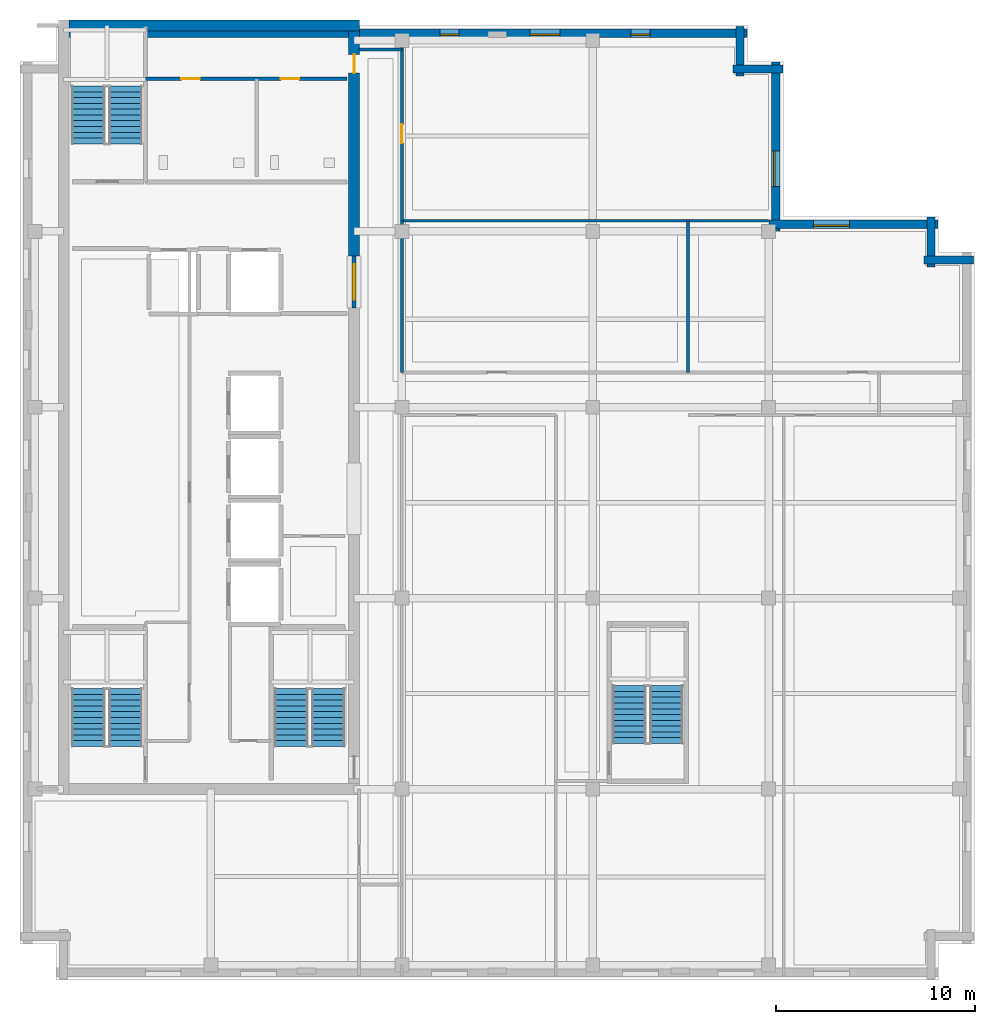
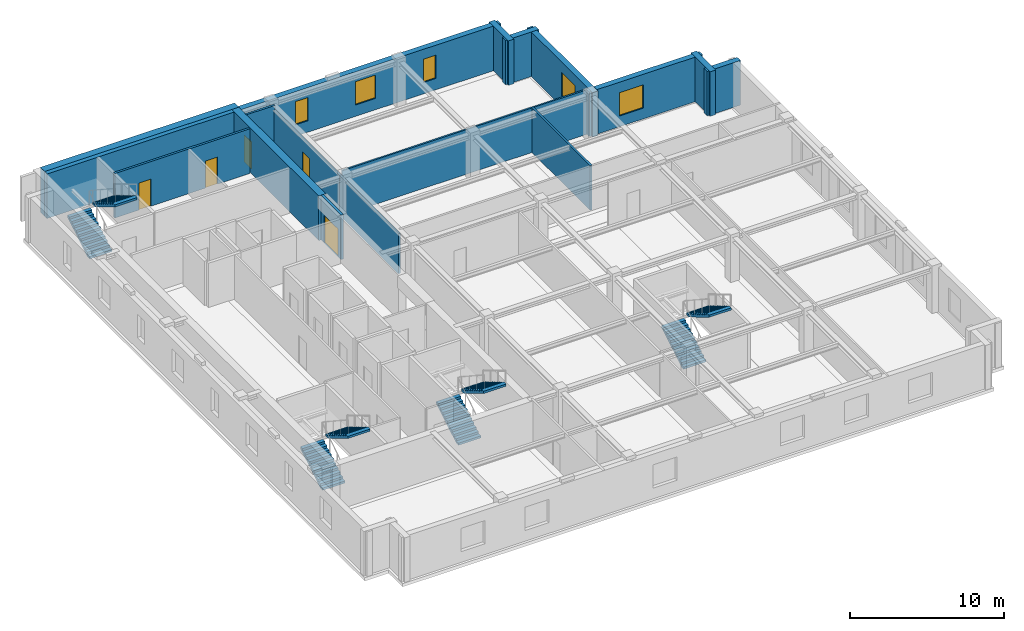
# One storey, part 5 of 10: 16 walls, 8 stair flights, 5 doors, 5 windows, 10 openings, 4 elements without a shape of their own.
"""IFC4 building model written with IfcOpenShell, lengths in metres."""

from ifc_helpers import new_model, si_unit, direction, frame, frame_2d, origin, place, context, subcontext, project, spatial, polyline, rectangle, outline, extrude, material, layer, layer_set, type_object, element, fill, aggregate, save


model = new_model("IFC4")

# Units and contexts
model_context = context("Model", 3, precision=1e-05, world=origin(), true_north=direction((0.0, 1.0)))
body_context = subcontext(model_context, "Body", "Model", "MODEL_VIEW")
ifc_project = project(units=[si_unit("LENGTHUNIT", "METRE"), si_unit("AREAUNIT", "SQUARE_METRE"), si_unit("VOLUMEUNIT", "CUBIC_METRE"), si_unit("PLANEANGLEUNIT", "RADIAN"), si_unit("MASSUNIT", "GRAM", prefix="KILO")], contexts=[model_context])

# Site, building, storey
site_placement = place(None, origin())
site = spatial("IfcSite", under=ifc_project, at=site_placement, CompositionType="ELEMENT")
building_placement = place(site_placement, origin())
building = spatial("IfcBuilding", under=site, at=building_placement, Name="Norrvale University Quadrangle", CompositionType="ELEMENT")
storey_placement = place(building_placement, frame((0.0, 0.0, 296.199951171875)))
storey = spatial("IfcBuildingStorey", under=building, at=storey_placement, Name="L75", CompositionType="ELEMENT", Elevation=296.199951171875)

# Walls
ifc_material_1 = material(Name="Buff Norman Clay Brick Masonry", Category="masonry")
ifc_layer_1 = layer(ifc_material_1, 0.419921875, Name="Buff Norman Clay Brick Masonry")
ifc_layer_set_1 = layer_set([ifc_layer_1], Name="Buff Norman Clay Brick Masonry")
wall_type_1 = type_object("IfcWallType", Name="Wall Buff Brick 420", PredefinedType="SOLIDWALL", material=ifc_layer_set_1)
for number, where, z_axis, x_axis, name in (
    (1, (47.9599609375, 36.2099609375, 0.0), (0.0, 0.0, 1.0), (-1.0, 0.0, 0.0), "Exterior Brick Facade Wall L75-05.1"),
    (2, (45.81005859375, 35.860107421875, 0.0), (0.0, 0.0, 1.0), (0.0, 1.0, 0.0), "Exterior Brick Facade Wall L75-06.1"),
):
    element("IfcWall", number, at=place(storey_placement, frame(where, z_axis=z_axis, x_axis=x_axis)), inside=storey, type_object=wall_type_1, Name=name, PredefinedType="SOLIDWALL", context=body_context, shape_type="SweptSolid", body=[
        extrude(rectangle(XDim=2.5, YDim=0.419921875, at=frame_2d((1.25, 0.0))), origin(), (0.0, 0.0, 1.0), 3.5400390625),
    ])

# Wall, opening, window
wall_1_placement = place(storey_placement, frame((46.159912109375, 38.010009765625, 0.0), z_axis=(0.0, 0.0, 1.0), x_axis=(-1.0, 0.0, 0.0)))
wall_1 = element("IfcWall", 3, at=wall_1_placement, inside=storey, type_object=wall_type_1, Name="Exterior Brick Facade Wall L75-07.1", PredefinedType="SOLIDWALL", context=body_context, shape_type="SweptSolid", body=[
    extrude(rectangle(XDim=8.5, YDim=0.419921875, at=frame_2d((4.25, 0.0))), origin(), (0.0, 0.0, 1.0), 3.5400390625),
])
opening_1_placement = place(wall_1_placement, frame((4.4599609375, 0.0, 0.85009765625)))
opening_1 = element("IfcOpeningElement", 4, at=opening_1_placement, cuts=wall_1, Name="Opening W01", PredefinedType="OPENING", context=body_context, shape_type="SweptSolid", body=[
    extrude(rectangle(XDim=1.800048828125, YDim=1.85009765625, at=frame_2d((0.89990234375, 0.925048828125))), frame((0.0, 0.221923828125, 0.0), z_axis=(0.0, -1.0, 0.0), x_axis=(1.0, 0.0, 0.0)), (0.0, 0.0, 1.0), 0.44384765625),
])
ifc_material_2 = material(Name="Triple Low-E Argon Glazing", Category="glass")
window_type_1 = type_object("IfcWindowType", Name="Window Academic 1800x2300", PartitioningType="DOUBLE_PANEL_VERTICAL", PredefinedType="WINDOW", material=ifc_material_2)
window_1_placement = place(opening_1_placement, origin())
window_1 = element("IfcWindow", 5, at=window_1_placement, inside=storey, type_object=window_type_1, Name="Window Academic 1800x2300 WIN-L75-E07-1-01", OverallHeight=1.85009765625, OverallWidth=1.800048828125, PartitioningType="DOUBLE_PANEL_VERTICAL", PredefinedType="WINDOW", context=body_context, shape_type="SweptSolid", body=[
    extrude(rectangle(XDim=1.800048828125, YDim=1.85009765625, at=frame_2d((0.89990234375, 0.925048828125))), frame((0.0, 0.110107421875, 0.0), z_axis=(0.0, -1.0, 0.0), x_axis=(1.0, 0.0, 0.0)), (0.0, 0.0, 1.0), 0.06005859375),
])
fill(opening_1, window_1)

wall_2_placement = place(storey_placement, frame((38.010009765625, 37.659912109375, 0.0), z_axis=(0.0, 0.0, 1.0), x_axis=(0.0, 1.0, 0.0)))
wall_2 = element("IfcWall", 6, at=wall_2_placement, inside=storey, type_object=wall_type_1, Name="Exterior Brick Facade Wall L75-08.1", PredefinedType="SOLIDWALL", context=body_context, shape_type="SweptSolid", body=[
    extrude(rectangle(XDim=8.5, YDim=0.419921875, at=frame_2d((4.25, 0.0))), origin(), (0.0, 0.0, 1.0), 3.5400390625),
])
opening_2_placement = place(wall_2_placement, frame((2.239990234375, 0.0, 0.85009765625)))
opening_2 = element("IfcOpeningElement", 7, at=opening_2_placement, cuts=wall_2, Name="Opening W01", PredefinedType="OPENING", context=body_context, shape_type="SweptSolid", body=[
    extrude(rectangle(XDim=1.800048828125, YDim=1.85009765625, at=frame_2d((0.89990234375, 0.925048828125))), frame((0.0, 0.221923828125, 0.0), z_axis=(0.0, -1.0, 0.0), x_axis=(1.0, 0.0, 0.0)), (0.0, 0.0, 1.0), 0.44384765625),
])
window_2_placement = place(opening_2_placement, origin())
window_2 = element("IfcWindow", 8, at=window_2_placement, inside=storey, type_object=window_type_1, Name="Window Academic 1800x2300 WIN-L75-E08-1-01", OverallHeight=1.85009765625, OverallWidth=1.800048828125, PartitioningType="DOUBLE_PANEL_VERTICAL", PredefinedType="WINDOW", context=body_context, shape_type="SweptSolid", body=[
    extrude(rectangle(XDim=1.800048828125, YDim=1.85009765625, at=frame_2d((0.89990234375, 0.925048828125))), frame((0.0, 0.110107421875, 0.0), z_axis=(0.0, -1.0, 0.0), x_axis=(1.0, 0.0, 0.0)), (0.0, 0.0, 1.0), 0.06005859375),
])
fill(opening_2, window_2)

# Walls
for number, where, z_axis, x_axis, name in (
    (9, (38.360107421875, 45.81005859375, 0.0), (0.0, 0.0, 1.0), (-1.0, 0.0, 0.0), "Exterior Brick Facade Wall L75-09.1"),
    (10, (36.2099609375, 45.4599609375, 0.0), (0.0, 0.0, 1.0), (0.0, 1.0, 0.0), "Exterior Brick Facade Wall L75-10.1"),
):
    element("IfcWall", number, at=place(storey_placement, frame(where, z_axis=z_axis, x_axis=x_axis)), inside=storey, type_object=wall_type_1, Name=name, PredefinedType="SOLIDWALL", context=body_context, shape_type="SweptSolid", body=[
        extrude(rectangle(XDim=2.5, YDim=0.419921875, at=frame_2d((1.25, 0.0))), origin(), (0.0, 0.0, 1.0), 3.5400390625),
    ])

# Wall, openings, windows
wall_3_placement = place(storey_placement, frame((36.56005859375, 47.610107421875, 0.0), z_axis=(0.0, 0.0, 1.0), x_axis=(-1.0, 0.0, 0.0)))
wall_3 = element("IfcWall", 11, at=wall_3_placement, inside=storey, type_object=wall_type_1, Name="Exterior Brick Facade Wall L75-11.1", PredefinedType="SOLIDWALL", context=body_context, shape_type="SweptSolid", body=[
    extrude(rectangle(XDim=34.0849609375, YDim=0.419921875, at=frame_2d((17.04248046875, 0.0))), origin(), (0.0, 0.0, 1.0), 3.5400390625),
])
opening_3_placement = place(wall_3_placement, frame((4.885009765625, 0.0, 0.89990234375)))
opening_3 = element("IfcOpeningElement", 12, at=opening_3_placement, cuts=wall_3, Name="Opening W04", PredefinedType="OPENING", context=body_context, shape_type="SweptSolid", body=[
    extrude(rectangle(XDim=0.949951171875, YDim=1.85009765625, at=frame_2d((0.47509765625, 0.925048828125))), frame((0.0, 0.221923828125, 0.0), z_axis=(0.0, -1.0, 0.0), x_axis=(1.0, 0.0, 0.0)), (0.0, 0.0, 1.0), 0.44384765625),
])
opening_4_placement = place(wall_3_placement, frame((9.409912109375, 0.0, 0.89990234375)))
opening_4 = element("IfcOpeningElement", 13, at=opening_4_placement, cuts=wall_3, Name="Opening W03", PredefinedType="OPENING", context=body_context, shape_type="SweptSolid", body=[
    extrude(rectangle(XDim=1.5, YDim=1.85009765625, at=frame_2d((0.75, 0.925048828125))), frame((0.0, 0.221923828125, 0.0), z_axis=(0.0, -1.0, 0.0), x_axis=(1.0, 0.0, 0.0)), (0.0, 0.0, 1.0), 0.44384765625),
])
opening_5_placement = place(wall_3_placement, frame((14.485107421875, 0.0, 0.89990234375)))
opening_5 = element("IfcOpeningElement", 14, at=opening_5_placement, cuts=wall_3, Name="Opening W04", PredefinedType="OPENING", context=body_context, shape_type="SweptSolid", body=[
    extrude(rectangle(XDim=0.949951171875, YDim=1.85009765625, at=frame_2d((0.47509765625, 0.925048828125))), frame((0.0, 0.221923828125, 0.0), z_axis=(0.0, -1.0, 0.0), x_axis=(1.0, 0.0, 0.0)), (0.0, 0.0, 1.0), 0.44384765625),
])
window_type_2 = type_object("IfcWindowType", Name="Window Narrow Pier 950x2300", PartitioningType="SINGLE_PANEL", PredefinedType="WINDOW", material=ifc_material_2)
window_3_placement = place(opening_3_placement, origin())
window_3 = element("IfcWindow", 15, at=window_3_placement, inside=storey, type_object=window_type_2, Name="Window Narrow Pier 950x2300 WIN-L75-E11-1-01", OverallHeight=1.85009765625, OverallWidth=0.949951171875, PartitioningType="SINGLE_PANEL", PredefinedType="WINDOW", context=body_context, shape_type="SweptSolid", body=[
    extrude(rectangle(XDim=0.949951171875, YDim=1.85009765625, at=frame_2d((0.47509765625, 0.925048828125))), frame((0.0, 0.110107421875, 0.0), z_axis=(0.0, -1.0, 0.0), x_axis=(1.0, 0.0, 0.0)), (0.0, 0.0, 1.0), 0.06005859375),
])
fill(opening_3, window_3)
window_4_placement = place(opening_5_placement, origin())
window_4 = element("IfcWindow", 16, at=window_4_placement, inside=storey, type_object=window_type_2, Name="Window Narrow Pier 950x2300 WIN-L75-E11-1-03", OverallHeight=1.85009765625, OverallWidth=0.949951171875, PartitioningType="SINGLE_PANEL", PredefinedType="WINDOW", context=body_context, shape_type="SweptSolid", body=[
    extrude(rectangle(XDim=0.949951171875, YDim=1.85009765625, at=frame_2d((0.47509765625, 0.925048828125))), frame((0.0, 0.110107421875, 0.0), z_axis=(0.0, -1.0, 0.0), x_axis=(1.0, 0.0, 0.0)), (0.0, 0.0, 1.0), 0.06005859375),
])
fill(opening_5, window_4)
window_type_3 = type_object("IfcWindowType", Name="Window Studio 1500x2300", PartitioningType="DOUBLE_PANEL_VERTICAL", PredefinedType="WINDOW", material=ifc_material_2)
window_5_placement = place(opening_4_placement, origin())
window_5 = element("IfcWindow", 17, at=window_5_placement, inside=storey, type_object=window_type_3, Name="Window Studio 1500x2300 WIN-L75-E11-1-02", OverallHeight=1.85009765625, OverallWidth=1.5, PartitioningType="DOUBLE_PANEL_VERTICAL", PredefinedType="WINDOW", context=body_context, shape_type="SweptSolid", body=[
    extrude(rectangle(XDim=1.5, YDim=1.85009765625, at=frame_2d((0.75, 0.925048828125))), frame((0.0, 0.110107421875, 0.0), z_axis=(0.0, -1.0, 0.0), x_axis=(1.0, 0.0, 0.0)), (0.0, 0.0, 1.0), 0.06005859375),
])
fill(opening_4, window_5)

# Wall
ifc_material_3 = material(Name="Concrete C60/75", Category="concrete")
ifc_layer_2 = layer(ifc_material_3, 0.550048828125, Name="Concrete C60/75")
ifc_layer_set_2 = layer_set([ifc_layer_2], Name="Concrete C60/75")
wall_type_2 = type_object("IfcWallType", Name="Wall Core 550", PredefinedType="SHEAR", material=ifc_layer_set_2)
wall_4_placement = place(storey_placement, frame((2.47509765625, 48.0, 0.0), z_axis=(0.0, 0.0, 1.0), x_axis=(1.0, 0.0, 0.0)))
element("IfcWall", 18, at=wall_4_placement, inside=storey, type_object=wall_type_2, Name="Tower Core Shear Wall L75-N", PredefinedType="SHEAR", context=body_context, shape_type="SweptSolid", body=[
    extrude(rectangle(XDim=14.599853515625, YDim=0.550048828125, at=frame_2d((7.2998046875, 0.0))), origin(), (0.0, 0.0, 1.0), 3.5400390625),
])

# Wall, opening, door
wall_5_placement = place(storey_placement, frame((16.800048828125, 36.39990234375, 0.0), z_axis=(0.0, 0.0, 1.0), x_axis=(0.0, 1.0, 0.0)))
wall_5 = element("IfcWall", 19, at=wall_5_placement, inside=storey, type_object=wall_type_2, Name="Tower Core Shear Wall L75-E3", PredefinedType="SHEAR", context=body_context, shape_type="SweptSolid", body=[
    extrude(rectangle(XDim=11.3251953125, YDim=0.550048828125, at=frame_2d((5.66259765625, 0.0))), origin(), (0.0, 0.0, 1.0), 3.5400390625),
])
opening_6_placement = place(wall_5_placement, frame((9.199951171875, 0.0, 0.0)))
opening_6 = element("IfcOpeningElement", 20, at=opening_6_placement, cuts=wall_5, Name="Opening D07", PredefinedType="OPENING", context=body_context, shape_type="SweptSolid", body=[
    extrude(rectangle(XDim=0.949951171875, YDim=2.14990234375, at=frame_2d((0.47509765625, 1.074951171875))), frame((0.0, 0.287109375, 0.0), z_axis=(0.0, -1.0, 0.0), x_axis=(1.0, 0.0, 0.0)), (0.0, 0.0, 1.0), 0.573974609375),
])
ifc_material_4 = material(Name="Solid-Core Maple Door", Category="wood")
door_type_1 = type_object("IfcDoorType", Name="Door Office 950x2150", OperationType="NOTDEFINED", PredefinedType="DOOR", material=ifc_material_4)
door_1_placement = place(opening_6_placement, origin())
door_1 = element("IfcDoor", 21, at=door_1_placement, inside=storey, type_object=door_type_1, Name="Door Office 950x2150 DR-L75-NECORR", OperationType="SINGLE_SWING_RIGHT", OverallHeight=2.14990234375, OverallWidth=0.949951171875, PredefinedType="DOOR", context=body_context, shape_type="SweptSolid", body=[
    extrude(rectangle(XDim=0.949951171875, YDim=2.14990234375, at=frame_2d((0.47509765625, 1.074951171875))), frame((0.0, 0.02490234375, 0.0), z_axis=(0.0, -1.0, 0.0), x_axis=(1.0, 0.0, 0.0)), (0.0, 0.0, 1.0), 0.050048828125),
])
fill(opening_6, door_1)

# Walls
ifc_material_5 = material(Name="Standard Academic Gypsum Partition")
ifc_layer_3 = layer(ifc_material_5, 0.125, Name="Standard Academic Gypsum Partition")
ifc_layer_set_3 = layer_set([ifc_layer_3], Name="Standard Academic Gypsum Partition")
wall_type_3 = type_object("IfcWallType", Name="Wall Gypsum Academic 125", PredefinedType="PARTITIONING", material=ifc_layer_set_3)
wall_6_placement = place(storey_placement, frame((19.280029296875, 38.179931640625, 0.0), z_axis=(0.0, 0.0, 1.0), x_axis=(1.0, 0.0, 0.0)))
element("IfcWall", 22, at=wall_6_placement, inside=storey, type_object=wall_type_3, Name="Interior Partition WL-L75-ME-N", PredefinedType="PARTITIONING", context=body_context, shape_type="SweptSolid", body=[
    extrude(rectangle(XDim=18.369873046875, YDim=0.125, at=frame_2d((9.18505859375, 0.0))), origin(), (0.0, 0.0, 1.0), 3.5400390625),
])
ifc_material_6 = material(Name="Fire-Rated Gypsum Stud Partition")
ifc_layer_4 = layer(ifc_material_6, 0.14990234375, Name="Fire-Rated Gypsum Stud Partition")
ifc_layer_set_4 = layer_set([ifc_layer_4], Name="Fire-Rated Gypsum Stud Partition")
wall_type_4 = type_object("IfcWallType", Name="Wall Gypsum Corridor 150", PredefinedType="PARTITIONING", material=ifc_layer_set_4)
wall_7_placement = place(storey_placement, frame((17.050048828125, 46.800048828125, 0.0), z_axis=(0.0, 0.0, 1.0), x_axis=(1.0, 0.0, 0.0)))
element("IfcWall", 23, at=wall_7_placement, inside=storey, type_object=wall_type_4, Name="Interior Partition WL-L75-CSP-N", PredefinedType="PARTITIONING", context=body_context, shape_type="SweptSolid", body=[
    extrude(rectangle(XDim=2.14990234375, YDim=0.14990234375, at=frame_2d((1.074951171875, 0.0))), origin(), (0.0, 0.0, 1.0), 3.5400390625),
])
wall_8_placement = place(storey_placement, frame((33.60009765625, 30.550048828125, 0.0), z_axis=(0.0, 0.0, 1.0), x_axis=(0.0, 1.0, 0.0)))
element("IfcWall", 24, at=wall_8_placement, inside=storey, type_object=wall_type_4, Name="Interior Partition WL-L75-MEP01", PredefinedType="PARTITIONING", context=body_context, shape_type="SweptSolid", body=[
    extrude(rectangle(XDim=7.6298828125, YDim=0.14990234375, at=frame_2d((3.81494140625, 0.0))), origin(), (0.0, 0.0, 1.0), 3.5400390625),
])
wall_9_placement = place(storey_placement, frame((19.199951171875, 30.550048828125, 0.0), z_axis=(0.0, 0.0, 1.0), x_axis=(0.0, 1.0, 0.0)))
element("IfcWall", 25, at=wall_9_placement, inside=storey, type_object=wall_type_4, Name="Interior Partition WL-L75-ME-W", PredefinedType="PARTITIONING", context=body_context, shape_type="SweptSolid", body=[
    extrude(rectangle(XDim=7.6298828125, YDim=0.14990234375, at=frame_2d((3.81494140625, 0.0))), origin(), (0.0, 0.0, 1.0), 3.18408203125),
])

# Wall, opening, door
wall_10_placement = place(storey_placement, frame((19.199951171875, 38.179931640625, 0.0), z_axis=(0.0, 0.0, 1.0), x_axis=(0.0, 1.0, 0.0)))
wall_10 = element("IfcWall", 26, at=wall_10_placement, inside=storey, type_object=wall_type_4, Name="Interior Partition WL-L75-NECW", PredefinedType="PARTITIONING", context=body_context, shape_type="SweptSolid", body=[
    extrude(rectangle(XDim=9.27001953125, YDim=0.14990234375, at=frame_2d((4.635009765625, 0.0))), origin(), (0.0, 0.0, 1.0), 3.18408203125),
])
opening_7_placement = place(wall_10_placement, frame((3.89990234375, 0.0, 0.0)))
opening_7 = element("IfcOpeningElement", 27, at=opening_7_placement, cuts=wall_10, Name="Opening D07", PredefinedType="OPENING", context=body_context, shape_type="SweptSolid", body=[
    extrude(rectangle(XDim=0.949951171875, YDim=2.14990234375, at=frame_2d((0.47509765625, 1.074951171875))), frame((0.0, 0.0869140625, 0.0), z_axis=(0.0, -1.0, 0.0), x_axis=(1.0, 0.0, 0.0)), (0.0, 0.0, 1.0), 0.173828125),
])
door_2_placement = place(opening_7_placement, origin())
door_2 = element("IfcDoor", 28, at=door_2_placement, inside=storey, type_object=door_type_1, Name="Door Office 950x2150 DR-L75-NE01", OperationType="SINGLE_SWING_RIGHT", OverallHeight=2.14990234375, OverallWidth=0.949951171875, PredefinedType="DOOR", context=body_context, shape_type="SweptSolid", body=[
    extrude(rectangle(XDim=0.949951171875, YDim=2.14990234375, at=frame_2d((0.47509765625, 1.074951171875))), frame((0.0, 0.02490234375, 0.0), z_axis=(0.0, -1.0, 0.0), x_axis=(1.0, 0.0, 0.0)), (0.0, 0.0, 1.0), 0.050048828125),
])
fill(opening_7, door_2)

# Wall, openings, doors
ifc_material_7 = material(Name="Sanitary Chase Gypsum Partition")
ifc_layer_5 = layer(ifc_material_7, 0.1650390625, Name="Sanitary Chase Gypsum Partition")
ifc_layer_set_5 = layer_set([ifc_layer_5], Name="Sanitary Chase Gypsum Partition")
wall_type_5 = type_object("IfcWallType", Name="Wall Gypsum Sanitary 165", PredefinedType="PLUMBINGWALL", material=ifc_layer_set_5)
wall_11_placement = place(storey_placement, frame((6.320068359375, 45.320068359375, 0.0), z_axis=(0.0, 0.0, 1.0), x_axis=(1.0, 0.0, 0.0)))
wall_11 = element("IfcWall", 29, at=wall_11_placement, inside=storey, type_object=wall_type_5, Name="Interior Partition WL-L75-WCN", PredefinedType="PLUMBINGWALL", context=body_context, shape_type="SweptSolid", body=[
    extrude(rectangle(XDim=10.1298828125, YDim=0.1650390625, at=frame_2d((5.06494140625, 0.0))), origin(), (0.0, 0.0, 1.0), 3.5400390625),
])
opening_8_placement = place(wall_11_placement, frame((1.800048828125, 0.0, 0.0)))
opening_8 = element("IfcOpeningElement", 30, at=opening_8_placement, cuts=wall_11, Name="Opening D08", PredefinedType="OPENING", context=body_context, shape_type="SweptSolid", body=[
    extrude(rectangle(XDim=0.919921875, YDim=2.14990234375, at=frame_2d((0.4599609375, 1.074951171875))), frame((0.0, 0.094482421875, 0.0), z_axis=(0.0, -1.0, 0.0), x_axis=(1.0, 0.0, 0.0)), (0.0, 0.0, 1.0), 0.18896484375),
])
opening_9_placement = place(wall_11_placement, frame((6.800048828125, 0.0, 0.0)))
opening_9 = element("IfcOpeningElement", 31, at=opening_9_placement, cuts=wall_11, Name="Opening D08", PredefinedType="OPENING", context=body_context, shape_type="SweptSolid", body=[
    extrude(rectangle(XDim=0.919921875, YDim=2.14990234375, at=frame_2d((0.4599609375, 1.074951171875))), frame((0.0, 0.094482421875, 0.0), z_axis=(0.0, -1.0, 0.0), x_axis=(1.0, 0.0, 0.0)), (0.0, 0.0, 1.0), 0.18896484375),
])
ifc_material_8 = material(Name="Laminate Washroom Door", Category="wood")
door_type_2 = type_object("IfcDoorType", Name="Door Washroom 920x2150", OperationType="NOTDEFINED", PredefinedType="DOOR", material=ifc_material_8)
door_3_placement = place(opening_8_placement, origin())
door_3 = element("IfcDoor", 32, at=door_3_placement, inside=storey, type_object=door_type_2, Name="Door Washroom 920x2150 DR-L75-WC1", OperationType="SINGLE_SWING_LEFT", OverallHeight=2.14990234375, OverallWidth=0.919921875, PredefinedType="DOOR", context=body_context, shape_type="SweptSolid", body=[
    extrude(rectangle(XDim=0.919921875, YDim=2.14990234375, at=frame_2d((0.4599609375, 1.074951171875))), frame((0.0, 0.02490234375, 0.0), z_axis=(0.0, -1.0, 0.0), x_axis=(1.0, 0.0, 0.0)), (0.0, 0.0, 1.0), 0.050048828125),
])
fill(opening_8, door_3)
door_4_placement = place(opening_9_placement, origin())
door_4 = element("IfcDoor", 33, at=door_4_placement, inside=storey, type_object=door_type_2, Name="Door Washroom 920x2150 DR-L75-WC2", OperationType="SINGLE_SWING_RIGHT", OverallHeight=2.14990234375, OverallWidth=0.919921875, PredefinedType="DOOR", context=body_context, shape_type="SweptSolid", body=[
    extrude(rectangle(XDim=0.919921875, YDim=2.14990234375, at=frame_2d((0.4599609375, 1.074951171875))), frame((0.0, 0.02490234375, 0.0), z_axis=(0.0, -1.0, 0.0), x_axis=(1.0, 0.0, 0.0)), (0.0, 0.0, 1.0), 0.050048828125),
])
fill(opening_9, door_4)

# Wall, opening, door
ifc_material_9 = material(Name="Concrete Blockwork 20 MPa Rated Wall", Category="masonry")
ifc_layer_6 = layer(ifc_material_9, 0.199951171875, Name="Concrete Blockwork 20 MPa Rated Wall")
ifc_layer_set_6 = layer_set([ifc_layer_6], Name="Concrete Blockwork 20 MPa Rated Wall")
wall_type_6 = type_object("IfcWallType", Name="Wall Lobby 200", PredefinedType="SOLIDWALL", material=ifc_layer_set_6)
wall_12_placement = place(storey_placement, frame((16.800048828125, 33.800048828125, 0.0), z_axis=(0.0, 0.0, 1.0), x_axis=(0.0, 1.0, 0.0)))
wall_12 = element("IfcWall", 34, at=wall_12_placement, inside=storey, type_object=wall_type_6, Name="Interior Partition WL-L75-FFP", PredefinedType="SOLIDWALL", context=body_context, shape_type="SweptSolid", body=[
    extrude(rectangle(XDim=2.599853515625, YDim=0.199951171875, at=frame_2d((1.2998046875, 0.0))), origin(), (0.0, 0.0, 1.0), 3.5400390625),
])
opening_10_placement = place(wall_12_placement, frame((0.39990234375, 0.0, 0.0)))
opening_10 = element("IfcOpeningElement", 35, at=opening_10_placement, cuts=wall_12, Name="Opening D03", PredefinedType="OPENING", context=body_context, shape_type="SweptSolid", body=[
    extrude(rectangle(XDim=1.800048828125, YDim=2.199951171875, at=frame_2d((0.89990234375, 1.10009765625))), frame((0.0, 0.112060546875, 0.0), z_axis=(0.0, -1.0, 0.0), x_axis=(1.0, 0.0, 0.0)), (0.0, 0.0, 1.0), 0.223876953125),
])
ifc_material_10 = material(Name="Hollow Steel 350W Fire Door", Category="steel")
door_type_3 = type_object("IfcDoorType", Name="Door Fire Lobby 1800x2200", OperationType="DOUBLE_DOOR_SINGLE_SWING", PredefinedType="DOOR", material=ifc_material_10)
door_5_placement = place(opening_10_placement, origin())
door_5 = element("IfcDoor", 36, at=door_5_placement, inside=storey, type_object=door_type_3, Name="Door Fire Lobby 1800x2200 DR-L75-FFP", OperationType="DOUBLE_DOOR_SINGLE_SWING", OverallHeight=2.199951171875, OverallWidth=1.800048828125, PredefinedType="DOOR", context=body_context, shape_type="SweptSolid", body=[
    extrude(rectangle(XDim=1.800048828125, YDim=2.199951171875, at=frame_2d((0.89990234375, 1.10009765625))), frame((0.0, 0.02490234375, 0.0), z_axis=(0.0, -1.0, 0.0), x_axis=(1.0, 0.0, 0.0)), (0.0, 0.0, 1.0), 0.050048828125),
])
fill(opening_10, door_5)

# Stair, stair flights
ifc_material_11 = material(Name="Concrete C40/50", Category="concrete")
stair_type = type_object("IfcStairType", Name="Stair Tower Typ 3800", PredefinedType="TWO_STRAIGHT_RUN_STAIR", material=ifc_material_11)
stair_1_placement = place(storey_placement, origin())
stair_1 = element("IfcStair", 37, at=stair_1_placement, inside=storey, type_object=stair_type, Name="Exit Stair ST-01 L75", PredefinedType="TWO_STRAIGHT_RUN_STAIR")
stair_flight_type = type_object("IfcStairFlightType", Name="Flight Typ 1500", PredefinedType="STRAIGHT", material=ifc_material_11)
stair_flight_1_placement = place(storey_placement, frame((3.429931640625, 11.75, 0.0), z_axis=(0.0, 0.0, 1.0), x_axis=(0.0, 1.0, 0.0)))
stair_flight_1 = element("IfcStairFlight", 38, at=stair_flight_1_placement, type_object=stair_flight_type, Name="Exit Stair ST-01 L75 Lower Flight", NumberOfRisers=11, NumberOfTreads=10, PredefinedType="STRAIGHT", RiserHeight=0.172727, TreadLength=0.29, context=body_context, shape_type="SweptSolid", body=[
    extrude(outline(polyline([(0.0, 0.0), (0.0, 0.172607421875), (0.2900390625, 0.172607421875), (0.2900390625, 0.345458984375), (0.580078125, 0.345458984375), (0.580078125, 0.51806640625), (0.8701171875, 0.51806640625), (0.8701171875, 0.69091796875), (1.159912109375, 0.69091796875), (1.159912109375, 0.863525390625), (1.449951171875, 0.863525390625), (1.449951171875, 1.036376953125), (1.739990234375, 1.036376953125), (1.739990234375, 1.208984375), (2.030029296875, 1.208984375), (2.030029296875, 1.3818359375), (2.320068359375, 1.3818359375), (2.320068359375, 1.554443359375), (2.610107421875, 1.554443359375), (2.610107421875, 1.727294921875), (2.89990234375, 1.727294921875), (2.89990234375, 1.89990234375), (2.89990234375, 1.552734375), (0.29296875, 0.0), (0.0, 0.0)])), frame((0.0, 0.83984375, 0.0), z_axis=(0.0, -1.0, 0.0), x_axis=(1.0, 0.0, 0.0)), (0.0, 0.0, 1.0), 1.679931640625),
])
stair_flight_2_placement = place(storey_placement, frame((5.320068359375, 14.64990234375, 1.900146484375), z_axis=(0.0, 0.0, 1.0), x_axis=(0.0, -1.0, 0.0)))
stair_flight_2 = element("IfcStairFlight", 39, at=stair_flight_2_placement, type_object=stair_flight_type, Name="Exit Stair ST-01 L75 Upper Flight", NumberOfRisers=11, NumberOfTreads=10, PredefinedType="STRAIGHT", RiserHeight=0.172727, TreadLength=0.29, context=body_context, shape_type="SweptSolid", body=[
    extrude(outline(polyline([(0.0, 0.0), (0.0, 0.172607421875), (0.2900390625, 0.172607421875), (0.2900390625, 0.345458984375), (0.580078125, 0.345458984375), (0.580078125, 0.51806640625), (0.8701171875, 0.51806640625), (0.8701171875, 0.69091796875), (1.159912109375, 0.69091796875), (1.159912109375, 0.863525390625), (1.449951171875, 0.863525390625), (1.449951171875, 1.036376953125), (1.739990234375, 1.036376953125), (1.739990234375, 1.208984375), (2.030029296875, 1.208984375), (2.030029296875, 1.3818359375), (2.320068359375, 1.3818359375), (2.320068359375, 1.554443359375), (2.610107421875, 1.554443359375), (2.610107421875, 1.727294921875), (2.89990234375, 1.727294921875), (2.89990234375, 1.89990234375), (2.89990234375, 1.552734375), (0.29296875, 0.0), (0.0, 0.0)])), frame((0.0, 0.83984375, 0.0), z_axis=(0.0, -1.0, 0.0), x_axis=(1.0, 0.0, 0.0)), (0.0, 0.0, 1.0), 1.679931640625),
])
aggregate(stair_1, [stair_flight_1, stair_flight_2])

stair_2_placement = place(storey_placement, origin())
stair_2 = element("IfcStair", 40, at=stair_2_placement, inside=storey, type_object=stair_type, Name="Exit Stair ST-02 L75", PredefinedType="TWO_STRAIGHT_RUN_STAIR")
stair_flight_3_placement = place(storey_placement, frame((3.429931640625, 42.050048828125, 0.0), z_axis=(0.0, 0.0, 1.0), x_axis=(0.0, 1.0, 0.0)))
stair_flight_3 = element("IfcStairFlight", 41, at=stair_flight_3_placement, type_object=stair_flight_type, Name="Exit Stair ST-02 L75 Lower Flight", NumberOfRisers=11, NumberOfTreads=10, PredefinedType="STRAIGHT", RiserHeight=0.172727, TreadLength=0.29, context=body_context, shape_type="SweptSolid", body=[
    extrude(outline(polyline([(0.0, 0.0), (0.0, 0.172607421875), (0.2900390625, 0.172607421875), (0.2900390625, 0.345458984375), (0.580078125, 0.345458984375), (0.580078125, 0.51806640625), (0.8701171875, 0.51806640625), (0.8701171875, 0.69091796875), (1.159912109375, 0.69091796875), (1.159912109375, 0.863525390625), (1.449951171875, 0.863525390625), (1.449951171875, 1.036376953125), (1.739990234375, 1.036376953125), (1.739990234375, 1.208984375), (2.030029296875, 1.208984375), (2.030029296875, 1.3818359375), (2.320068359375, 1.3818359375), (2.320068359375, 1.554443359375), (2.610107421875, 1.554443359375), (2.610107421875, 1.727294921875), (2.89990234375, 1.727294921875), (2.89990234375, 1.89990234375), (2.89990234375, 1.552734375), (0.29296875, 0.0), (0.0, 0.0)])), frame((0.0, 0.83984375, 0.0), z_axis=(0.0, -1.0, 0.0), x_axis=(1.0, 0.0, 0.0)), (0.0, 0.0, 1.0), 1.679931640625),
])
stair_flight_4_placement = place(storey_placement, frame((5.320068359375, 44.949951171875, 1.900146484375), z_axis=(0.0, 0.0, 1.0), x_axis=(0.0, -1.0, 0.0)))
stair_flight_4 = element("IfcStairFlight", 42, at=stair_flight_4_placement, type_object=stair_flight_type, Name="Exit Stair ST-02 L75 Upper Flight", NumberOfRisers=11, NumberOfTreads=10, PredefinedType="STRAIGHT", RiserHeight=0.172727, TreadLength=0.29, context=body_context, shape_type="SweptSolid", body=[
    extrude(outline(polyline([(0.0, 0.0), (0.0, 0.172607421875), (0.2900390625, 0.172607421875), (0.2900390625, 0.345458984375), (0.580078125, 0.345458984375), (0.580078125, 0.51806640625), (0.8701171875, 0.51806640625), (0.8701171875, 0.69091796875), (1.159912109375, 0.69091796875), (1.159912109375, 0.863525390625), (1.449951171875, 0.863525390625), (1.449951171875, 1.036376953125), (1.739990234375, 1.036376953125), (1.739990234375, 1.208984375), (2.030029296875, 1.208984375), (2.030029296875, 1.3818359375), (2.320068359375, 1.3818359375), (2.320068359375, 1.554443359375), (2.610107421875, 1.554443359375), (2.610107421875, 1.727294921875), (2.89990234375, 1.727294921875), (2.89990234375, 1.89990234375), (2.89990234375, 1.552734375), (0.29296875, 0.0), (0.0, 0.0)])), frame((0.0, 0.83984375, 0.0), z_axis=(0.0, -1.0, 0.0), x_axis=(1.0, 0.0, 0.0)), (0.0, 0.0, 1.0), 1.679931640625),
])
aggregate(stair_2, [stair_flight_3, stair_flight_4])

stair_3_placement = place(storey_placement, origin())
stair_3 = element("IfcStair", 43, at=stair_3_placement, inside=storey, type_object=stair_type, Name="Exit Stair ST-03 L75", PredefinedType="TWO_STRAIGHT_RUN_STAIR")
stair_flight_5_placement = place(storey_placement, frame((13.6298828125, 11.75, 0.0), z_axis=(0.0, 0.0, 1.0), x_axis=(0.0, 1.0, 0.0)))
stair_flight_5 = element("IfcStairFlight", 44, at=stair_flight_5_placement, type_object=stair_flight_type, Name="Exit Stair ST-03 L75 Lower Flight", NumberOfRisers=11, NumberOfTreads=10, PredefinedType="STRAIGHT", RiserHeight=0.172727, TreadLength=0.29, context=body_context, shape_type="SweptSolid", body=[
    extrude(outline(polyline([(0.0, 0.0), (0.0, 0.172607421875), (0.2900390625, 0.172607421875), (0.2900390625, 0.345458984375), (0.580078125, 0.345458984375), (0.580078125, 0.51806640625), (0.8701171875, 0.51806640625), (0.8701171875, 0.69091796875), (1.159912109375, 0.69091796875), (1.159912109375, 0.863525390625), (1.449951171875, 0.863525390625), (1.449951171875, 1.036376953125), (1.739990234375, 1.036376953125), (1.739990234375, 1.208984375), (2.030029296875, 1.208984375), (2.030029296875, 1.3818359375), (2.320068359375, 1.3818359375), (2.320068359375, 1.554443359375), (2.610107421875, 1.554443359375), (2.610107421875, 1.727294921875), (2.89990234375, 1.727294921875), (2.89990234375, 1.89990234375), (2.89990234375, 1.552734375), (0.29296875, 0.0), (0.0, 0.0)])), frame((0.0, 0.83984375, 0.0), z_axis=(0.0, -1.0, 0.0), x_axis=(1.0, 0.0, 0.0)), (0.0, 0.0, 1.0), 1.679931640625),
])
stair_flight_6_placement = place(storey_placement, frame((15.52001953125, 14.64990234375, 1.900146484375), z_axis=(0.0, 0.0, 1.0), x_axis=(0.0, -1.0, 0.0)))
stair_flight_6 = element("IfcStairFlight", 45, at=stair_flight_6_placement, type_object=stair_flight_type, Name="Exit Stair ST-03 L75 Upper Flight", NumberOfRisers=11, NumberOfTreads=10, PredefinedType="STRAIGHT", RiserHeight=0.172727, TreadLength=0.29, context=body_context, shape_type="SweptSolid", body=[
    extrude(outline(polyline([(0.0, 0.0), (0.0, 0.172607421875), (0.2900390625, 0.172607421875), (0.2900390625, 0.345458984375), (0.580078125, 0.345458984375), (0.580078125, 0.51806640625), (0.8701171875, 0.51806640625), (0.8701171875, 0.69091796875), (1.159912109375, 0.69091796875), (1.159912109375, 0.863525390625), (1.449951171875, 0.863525390625), (1.449951171875, 1.036376953125), (1.739990234375, 1.036376953125), (1.739990234375, 1.208984375), (2.030029296875, 1.208984375), (2.030029296875, 1.3818359375), (2.320068359375, 1.3818359375), (2.320068359375, 1.554443359375), (2.610107421875, 1.554443359375), (2.610107421875, 1.727294921875), (2.89990234375, 1.727294921875), (2.89990234375, 1.89990234375), (2.89990234375, 1.552734375), (0.29296875, 0.0), (0.0, 0.0)])), frame((0.0, 0.83984375, 0.0), z_axis=(0.0, -1.0, 0.0), x_axis=(1.0, 0.0, 0.0)), (0.0, 0.0, 1.0), 1.679931640625),
])
aggregate(stair_3, [stair_flight_5, stair_flight_6])

stair_4_placement = place(storey_placement, origin())
stair_4 = element("IfcStair", 46, at=stair_4_placement, inside=storey, type_object=stair_type, Name="Exit Stair ST-04 L75", PredefinedType="TWO_STRAIGHT_RUN_STAIR")
stair_flight_7_placement = place(storey_placement, frame((30.6298828125, 11.89990234375, 0.0), z_axis=(0.0, 0.0, 1.0), x_axis=(0.0, 1.0, 0.0)))
stair_flight_7 = element("IfcStairFlight", 47, at=stair_flight_7_placement, type_object=stair_flight_type, Name="Exit Stair ST-04 L75 Lower Flight", NumberOfRisers=11, NumberOfTreads=10, PredefinedType="STRAIGHT", RiserHeight=0.172727, TreadLength=0.29, context=body_context, shape_type="SweptSolid", body=[
    extrude(outline(polyline([(0.0, 0.0), (0.0, 0.172607421875), (0.2900390625, 0.172607421875), (0.2900390625, 0.345458984375), (0.580078125, 0.345458984375), (0.580078125, 0.51806640625), (0.8701171875, 0.51806640625), (0.8701171875, 0.69091796875), (1.159912109375, 0.69091796875), (1.159912109375, 0.863525390625), (1.449951171875, 0.863525390625), (1.449951171875, 1.036376953125), (1.739990234375, 1.036376953125), (1.739990234375, 1.208984375), (2.030029296875, 1.208984375), (2.030029296875, 1.3818359375), (2.320068359375, 1.3818359375), (2.320068359375, 1.554443359375), (2.610107421875, 1.554443359375), (2.610107421875, 1.727294921875), (2.89990234375, 1.727294921875), (2.89990234375, 1.89990234375), (2.89990234375, 1.552734375), (0.29296875, 0.0), (0.0, 0.0)])), frame((0.0, 0.83984375, 0.0), z_axis=(0.0, -1.0, 0.0), x_axis=(1.0, 0.0, 0.0)), (0.0, 0.0, 1.0), 1.679931640625),
])
stair_flight_8_placement = place(storey_placement, frame((32.52001953125, 14.800048828125, 1.900146484375), z_axis=(0.0, 0.0, 1.0), x_axis=(0.0, -1.0, 0.0)))
stair_flight_8 = element("IfcStairFlight", 48, at=stair_flight_8_placement, type_object=stair_flight_type, Name="Exit Stair ST-04 L75 Upper Flight", NumberOfRisers=11, NumberOfTreads=10, PredefinedType="STRAIGHT", RiserHeight=0.172727, TreadLength=0.29, context=body_context, shape_type="SweptSolid", body=[
    extrude(outline(polyline([(0.0, 0.0), (0.0, 0.172607421875), (0.2900390625, 0.172607421875), (0.2900390625, 0.345458984375), (0.580078125, 0.345458984375), (0.580078125, 0.51806640625), (0.8701171875, 0.51806640625), (0.8701171875, 0.69091796875), (1.159912109375, 0.69091796875), (1.159912109375, 0.863525390625), (1.449951171875, 0.863525390625), (1.449951171875, 1.036376953125), (1.739990234375, 1.036376953125), (1.739990234375, 1.208984375), (2.030029296875, 1.208984375), (2.030029296875, 1.3818359375), (2.320068359375, 1.3818359375), (2.320068359375, 1.554443359375), (2.610107421875, 1.554443359375), (2.610107421875, 1.727294921875), (2.89990234375, 1.727294921875), (2.89990234375, 1.89990234375), (2.89990234375, 1.552734375), (0.29296875, 0.0), (0.0, 0.0)])), frame((0.0, 0.83984375, 0.0), z_axis=(0.0, -1.0, 0.0), x_axis=(1.0, 0.0, 0.0)), (0.0, 0.0, 1.0), 1.679931640625),
])
aggregate(stair_4, [stair_flight_7, stair_flight_8])

save(model, "model.ifc")
